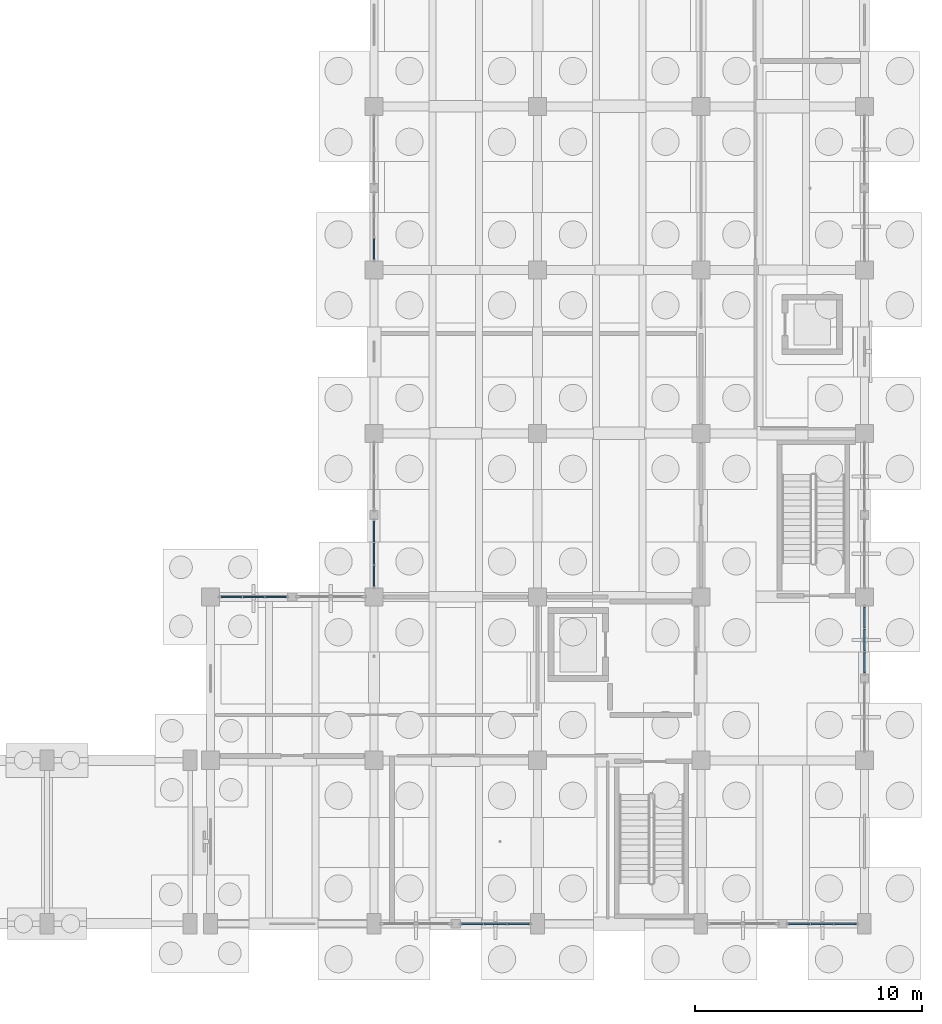
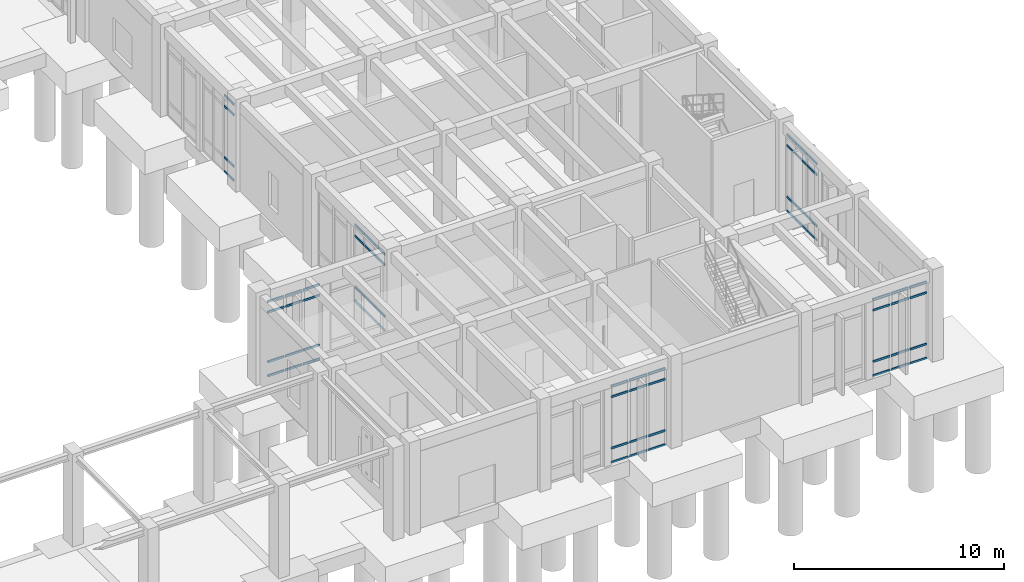
# One storey, part 45 of 93: 64 members, 6 elements without a shape of their own.
"""IFC4 building model written with IfcOpenShell, lengths in metres."""

from ifc_helpers import new_model, si_unit, direction, frame, origin, origin_2d, place, context, subcontext, project, spatial, rectangle, extrude, material, layer, layer_set, material_profile, profile_set, type_object, element, aggregate, save


model = new_model("IFC4")

# Units and contexts
model_context = context("Model", 3, precision=1e-05, world=origin(), true_north=direction((0.0, 1.0)))
body_context = subcontext(model_context, "Body", "Model", "MODEL_VIEW")
ifc_project = project(units=[si_unit("LENGTHUNIT", "METRE"), si_unit("AREAUNIT", "SQUARE_METRE"), si_unit("VOLUMEUNIT", "CUBIC_METRE"), si_unit("PLANEANGLEUNIT", "RADIAN"), si_unit("MASSUNIT", "GRAM", prefix="KILO")], contexts=[model_context])

# Site, building, storey
site_placement = place(None, origin())
site = spatial("IfcSite", under=ifc_project, at=site_placement, CompositionType="ELEMENT")
building_placement = place(site_placement, origin())
building = spatial("IfcBuilding", under=site, at=building_placement, Name="Koriwan Promenade Central Fire Station", CompositionType="ELEMENT")
storey_placement = place(building_placement, origin())
storey = spatial("IfcBuildingStorey", under=building, at=storey_placement, Name="L00", CompositionType="ELEMENT", Elevation=0.0)

# Curtain wall, members
ifc_material_1 = material(Name="Aluminium EN AW-6063-T6 and low-E glazing", Category="aluminium")
ifc_layer_1 = layer(ifc_material_1, 0.159912109375, Name="Aluminium EN AW-6063-T6 and low-E glazing")
ifc_layer_set_1 = layer_set([ifc_layer_1], Name="Aluminium EN AW-6063-T6 and low-E glazing")
curtain_wall_type_1 = type_object("IfcCurtainWallType", Name="CurtainWall_48_310x449", PredefinedType="USERDEFINED", material=ifc_layer_set_1)
curtain_wall_1_placement = place(storey_placement, origin())
curtain_wall_1 = element("IfcCurtainWall", 1, at=curtain_wall_1_placement, inside=storey, type_object=curtain_wall_type_1, Name="V5 L00 unitised curtain wall 129", ObjectType="UNITISED CURTAIN WALL", PredefinedType="USERDEFINED")
ifc_material_2 = material(Name="Aluminium EN AW-6063-T6", Category="aluminium")
ifc_material_profile = material_profile(ifc_material_2, rectangle(XDim=0.06494140625, YDim=0.1201171875, at=origin_2d()), Name="ALU-TRN-65x120")
ifc_profile_set = profile_set([ifc_material_profile], Name="Aluminium EN AW-6063-T6")
member_type = type_object("IfcMemberType", Name="CWTransom_ALU-TRN-65x120", PredefinedType="USERDEFINED", material=ifc_profile_set)
member_1_placement = place(storey_placement, frame((172.43505859375, 0.0, 0.032470703125), z_axis=(-1.0, 0.0, 0.0), x_axis=(0.0, -1.0, 0.0)))
member_1 = element("IfcMember", 2, at=member_1_placement, type_object=member_type, Name="CW-48 transom 1.1", ObjectType="TRANSOM", PredefinedType="USERDEFINED", context=body_context, shape_type="SweptSolid", body=[
    extrude(rectangle(XDim=0.06494140625, YDim=0.1201171875, at=origin_2d()), origin(), (0.0, 0.0, 1.0), 0.935791015625),
])
member_2_placement = place(storey_placement, frame((172.43505859375, 0.0, 0.85009765625), z_axis=(-1.0, 0.0, 0.0), x_axis=(0.0, -1.0, 0.0)))
member_2 = element("IfcMember", 3, at=member_2_placement, type_object=member_type, Name="CW-48 transom 1.2", ObjectType="TRANSOM", PredefinedType="USERDEFINED", context=body_context, shape_type="SweptSolid", body=[
    extrude(rectangle(XDim=0.06494140625, YDim=0.1201171875, at=origin_2d()), origin(), (0.0, 0.0, 1.0), 0.935791015625),
])
member_3_placement = place(storey_placement, frame((172.43505859375, 0.0, 3.840087890625), z_axis=(-1.0, 0.0, 0.0), x_axis=(0.0, -1.0, 0.0)))
member_3 = element("IfcMember", 4, at=member_3_placement, type_object=member_type, Name="CW-48 transom 1.3", ObjectType="TRANSOM", PredefinedType="USERDEFINED", context=body_context, shape_type="SweptSolid", body=[
    extrude(rectangle(XDim=0.06494140625, YDim=0.1201171875, at=origin_2d()), origin(), (0.0, 0.0, 1.0), 0.935791015625),
])
member_4_placement = place(storey_placement, frame((172.43505859375, 0.0, 4.45751953125), z_axis=(-1.0, 0.0, 0.0), x_axis=(0.0, -1.0, 0.0)))
member_4 = element("IfcMember", 5, at=member_4_placement, type_object=member_type, Name="CW-48 transom 1.4", ObjectType="TRANSOM", PredefinedType="USERDEFINED", context=body_context, shape_type="SweptSolid", body=[
    extrude(rectangle(XDim=0.06494140625, YDim=0.1201171875, at=origin_2d()), origin(), (0.0, 0.0, 1.0), 0.935791015625),
])
member_5_placement = place(storey_placement, frame((171.43408203125, 0.0, 0.032470703125), z_axis=(-1.0, 0.0, 0.0), x_axis=(0.0, -1.0, 0.0)))
member_5 = element("IfcMember", 6, at=member_5_placement, type_object=member_type, Name="CW-48 transom 2.1", ObjectType="TRANSOM", PredefinedType="USERDEFINED", context=body_context, shape_type="SweptSolid", body=[
    extrude(rectangle(XDim=0.06494140625, YDim=0.1201171875, at=origin_2d()), origin(), (0.0, 0.0, 1.0), 0.96826171875),
])
member_6_placement = place(storey_placement, frame((171.43408203125, 0.0, 0.85009765625), z_axis=(-1.0, 0.0, 0.0), x_axis=(0.0, -1.0, 0.0)))
member_6 = element("IfcMember", 7, at=member_6_placement, type_object=member_type, Name="CW-48 transom 2.2", ObjectType="TRANSOM", PredefinedType="USERDEFINED", context=body_context, shape_type="SweptSolid", body=[
    extrude(rectangle(XDim=0.06494140625, YDim=0.1201171875, at=origin_2d()), origin(), (0.0, 0.0, 1.0), 0.96826171875),
])
member_7_placement = place(storey_placement, frame((171.43408203125, 0.0, 3.840087890625), z_axis=(-1.0, 0.0, 0.0), x_axis=(0.0, -1.0, 0.0)))
member_7 = element("IfcMember", 8, at=member_7_placement, type_object=member_type, Name="CW-48 transom 2.3", ObjectType="TRANSOM", PredefinedType="USERDEFINED", context=body_context, shape_type="SweptSolid", body=[
    extrude(rectangle(XDim=0.06494140625, YDim=0.1201171875, at=origin_2d()), origin(), (0.0, 0.0, 1.0), 0.96826171875),
])
member_8_placement = place(storey_placement, frame((171.43408203125, 0.0, 4.45751953125), z_axis=(-1.0, 0.0, 0.0), x_axis=(0.0, -1.0, 0.0)))
member_8 = element("IfcMember", 9, at=member_8_placement, type_object=member_type, Name="CW-48 transom 2.4", ObjectType="TRANSOM", PredefinedType="USERDEFINED", context=body_context, shape_type="SweptSolid", body=[
    extrude(rectangle(XDim=0.06494140625, YDim=0.1201171875, at=origin_2d()), origin(), (0.0, 0.0, 1.0), 0.96826171875),
])
member_9_placement = place(storey_placement, frame((170.40087890625, 0.0, 0.032470703125), z_axis=(-1.0, 0.0, 0.0), x_axis=(0.0, -1.0, 0.0)))
member_9 = element("IfcMember", 10, at=member_9_placement, type_object=member_type, Name="CW-48 transom 3.1", ObjectType="TRANSOM", PredefinedType="USERDEFINED", context=body_context, shape_type="SweptSolid", body=[
    extrude(rectangle(XDim=0.06494140625, YDim=0.1201171875, at=origin_2d()), origin(), (0.0, 0.0, 1.0), 0.935791015625),
])
member_10_placement = place(storey_placement, frame((170.40087890625, 0.0, 0.85009765625), z_axis=(-1.0, 0.0, 0.0), x_axis=(0.0, -1.0, 0.0)))
member_10 = element("IfcMember", 11, at=member_10_placement, type_object=member_type, Name="CW-48 transom 3.2", ObjectType="TRANSOM", PredefinedType="USERDEFINED", context=body_context, shape_type="SweptSolid", body=[
    extrude(rectangle(XDim=0.06494140625, YDim=0.1201171875, at=origin_2d()), origin(), (0.0, 0.0, 1.0), 0.935791015625),
])
member_11_placement = place(storey_placement, frame((170.40087890625, 0.0, 3.840087890625), z_axis=(-1.0, 0.0, 0.0), x_axis=(0.0, -1.0, 0.0)))
member_11 = element("IfcMember", 12, at=member_11_placement, type_object=member_type, Name="CW-48 transom 3.3", ObjectType="TRANSOM", PredefinedType="USERDEFINED", context=body_context, shape_type="SweptSolid", body=[
    extrude(rectangle(XDim=0.06494140625, YDim=0.1201171875, at=origin_2d()), origin(), (0.0, 0.0, 1.0), 0.935791015625),
])
member_12_placement = place(storey_placement, frame((170.40087890625, 0.0, 4.45751953125), z_axis=(-1.0, 0.0, 0.0), x_axis=(0.0, -1.0, 0.0)))
member_12 = element("IfcMember", 13, at=member_12_placement, type_object=member_type, Name="CW-48 transom 3.4", ObjectType="TRANSOM", PredefinedType="USERDEFINED", context=body_context, shape_type="SweptSolid", body=[
    extrude(rectangle(XDim=0.06494140625, YDim=0.1201171875, at=origin_2d()), origin(), (0.0, 0.0, 1.0), 0.935791015625),
])
aggregate(curtain_wall_1, [member_1, member_2, member_3, member_4, member_5, member_6, member_7, member_8, member_9, member_10, member_11, member_12])

curtain_wall_2_placement = place(storey_placement, origin())
curtain_wall_2 = element("IfcCurtainWall", 14, at=curtain_wall_2_placement, inside=storey, type_object=curtain_wall_type_1, Name="V5 L00 unitised curtain wall 131", ObjectType="UNITISED CURTAIN WALL", PredefinedType="USERDEFINED")
member_13_placement = place(storey_placement, frame((158.034912109375, 0.0, 0.032470703125), z_axis=(-1.0, 0.0, 0.0), x_axis=(0.0, -1.0, 0.0)))
member_13 = element("IfcMember", 15, at=member_13_placement, type_object=member_type, Name="CW-48 transom 1.1", ObjectType="TRANSOM", PredefinedType="USERDEFINED", context=body_context, shape_type="SweptSolid", body=[
    extrude(rectangle(XDim=0.06494140625, YDim=0.1201171875, at=origin_2d()), origin(), (0.0, 0.0, 1.0), 0.935791015625),
])
member_14_placement = place(storey_placement, frame((158.034912109375, 0.0, 0.85009765625), z_axis=(-1.0, 0.0, 0.0), x_axis=(0.0, -1.0, 0.0)))
member_14 = element("IfcMember", 16, at=member_14_placement, type_object=member_type, Name="CW-48 transom 1.2", ObjectType="TRANSOM", PredefinedType="USERDEFINED", context=body_context, shape_type="SweptSolid", body=[
    extrude(rectangle(XDim=0.06494140625, YDim=0.1201171875, at=origin_2d()), origin(), (0.0, 0.0, 1.0), 0.935791015625),
])
member_15_placement = place(storey_placement, frame((158.034912109375, 0.0, 3.840087890625), z_axis=(-1.0, 0.0, 0.0), x_axis=(0.0, -1.0, 0.0)))
member_15 = element("IfcMember", 17, at=member_15_placement, type_object=member_type, Name="CW-48 transom 1.3", ObjectType="TRANSOM", PredefinedType="USERDEFINED", context=body_context, shape_type="SweptSolid", body=[
    extrude(rectangle(XDim=0.06494140625, YDim=0.1201171875, at=origin_2d()), origin(), (0.0, 0.0, 1.0), 0.935791015625),
])
member_16_placement = place(storey_placement, frame((158.034912109375, 0.0, 4.45751953125), z_axis=(-1.0, 0.0, 0.0), x_axis=(0.0, -1.0, 0.0)))
member_16 = element("IfcMember", 18, at=member_16_placement, type_object=member_type, Name="CW-48 transom 1.4", ObjectType="TRANSOM", PredefinedType="USERDEFINED", context=body_context, shape_type="SweptSolid", body=[
    extrude(rectangle(XDim=0.06494140625, YDim=0.1201171875, at=origin_2d()), origin(), (0.0, 0.0, 1.0), 0.935791015625),
])
member_17_placement = place(storey_placement, frame((157.0341796875, 0.0, 0.032470703125), z_axis=(-1.0, 0.0, 0.0), x_axis=(0.0, -1.0, 0.0)))
member_17 = element("IfcMember", 19, at=member_17_placement, type_object=member_type, Name="CW-48 transom 2.1", ObjectType="TRANSOM", PredefinedType="USERDEFINED", context=body_context, shape_type="SweptSolid", body=[
    extrude(rectangle(XDim=0.06494140625, YDim=0.1201171875, at=origin_2d()), origin(), (0.0, 0.0, 1.0), 0.96826171875),
])
member_18_placement = place(storey_placement, frame((157.0341796875, 0.0, 0.85009765625), z_axis=(-1.0, 0.0, 0.0), x_axis=(0.0, -1.0, 0.0)))
member_18 = element("IfcMember", 20, at=member_18_placement, type_object=member_type, Name="CW-48 transom 2.2", ObjectType="TRANSOM", PredefinedType="USERDEFINED", context=body_context, shape_type="SweptSolid", body=[
    extrude(rectangle(XDim=0.06494140625, YDim=0.1201171875, at=origin_2d()), origin(), (0.0, 0.0, 1.0), 0.96826171875),
])
member_19_placement = place(storey_placement, frame((157.0341796875, 0.0, 3.840087890625), z_axis=(-1.0, 0.0, 0.0), x_axis=(0.0, -1.0, 0.0)))
member_19 = element("IfcMember", 21, at=member_19_placement, type_object=member_type, Name="CW-48 transom 2.3", ObjectType="TRANSOM", PredefinedType="USERDEFINED", context=body_context, shape_type="SweptSolid", body=[
    extrude(rectangle(XDim=0.06494140625, YDim=0.1201171875, at=origin_2d()), origin(), (0.0, 0.0, 1.0), 0.96826171875),
])
member_20_placement = place(storey_placement, frame((157.0341796875, 0.0, 4.45751953125), z_axis=(-1.0, 0.0, 0.0), x_axis=(0.0, -1.0, 0.0)))
member_20 = element("IfcMember", 22, at=member_20_placement, type_object=member_type, Name="CW-48 transom 2.4", ObjectType="TRANSOM", PredefinedType="USERDEFINED", context=body_context, shape_type="SweptSolid", body=[
    extrude(rectangle(XDim=0.06494140625, YDim=0.1201171875, at=origin_2d()), origin(), (0.0, 0.0, 1.0), 0.96826171875),
])
member_21_placement = place(storey_placement, frame((156.000732421875, 0.0, 0.032470703125), z_axis=(-1.0, 0.0, 0.0), x_axis=(0.0, -1.0, 0.0)))
member_21 = element("IfcMember", 23, at=member_21_placement, type_object=member_type, Name="CW-48 transom 3.1", ObjectType="TRANSOM", PredefinedType="USERDEFINED", context=body_context, shape_type="SweptSolid", body=[
    extrude(rectangle(XDim=0.06494140625, YDim=0.1201171875, at=origin_2d()), origin(), (0.0, 0.0, 1.0), 0.935791015625),
])
member_22_placement = place(storey_placement, frame((156.000732421875, 0.0, 0.85009765625), z_axis=(-1.0, 0.0, 0.0), x_axis=(0.0, -1.0, 0.0)))
member_22 = element("IfcMember", 24, at=member_22_placement, type_object=member_type, Name="CW-48 transom 3.2", ObjectType="TRANSOM", PredefinedType="USERDEFINED", context=body_context, shape_type="SweptSolid", body=[
    extrude(rectangle(XDim=0.06494140625, YDim=0.1201171875, at=origin_2d()), origin(), (0.0, 0.0, 1.0), 0.935791015625),
])
member_23_placement = place(storey_placement, frame((156.000732421875, 0.0, 3.840087890625), z_axis=(-1.0, 0.0, 0.0), x_axis=(0.0, -1.0, 0.0)))
member_23 = element("IfcMember", 25, at=member_23_placement, type_object=member_type, Name="CW-48 transom 3.3", ObjectType="TRANSOM", PredefinedType="USERDEFINED", context=body_context, shape_type="SweptSolid", body=[
    extrude(rectangle(XDim=0.06494140625, YDim=0.1201171875, at=origin_2d()), origin(), (0.0, 0.0, 1.0), 0.935791015625),
])
member_24_placement = place(storey_placement, frame((156.000732421875, 0.0, 4.45751953125), z_axis=(-1.0, 0.0, 0.0), x_axis=(0.0, -1.0, 0.0)))
member_24 = element("IfcMember", 26, at=member_24_placement, type_object=member_type, Name="CW-48 transom 3.4", ObjectType="TRANSOM", PredefinedType="USERDEFINED", context=body_context, shape_type="SweptSolid", body=[
    extrude(rectangle(XDim=0.06494140625, YDim=0.1201171875, at=origin_2d()), origin(), (0.0, 0.0, 1.0), 0.935791015625),
])
aggregate(curtain_wall_2, [member_13, member_14, member_15, member_16, member_17, member_18, member_19, member_20, member_21, member_22, member_23, member_24])

ifc_layer_2 = layer(ifc_material_1, 0.159912109375, Name="Aluminium EN AW-6063-T6 and low-E glazing")
ifc_layer_set_2 = layer_set([ifc_layer_2], Name="Aluminium EN AW-6063-T6 and low-E glazing")
curtain_wall_type_2 = type_object("IfcCurtainWallType", Name="CurtainWall_49_300x439", PredefinedType="USERDEFINED", material=ifc_layer_set_2)
curtain_wall_3_placement = place(storey_placement, origin())
curtain_wall_3 = element("IfcCurtainWall", 27, at=curtain_wall_3_placement, inside=storey, type_object=curtain_wall_type_2, Name="V5 L00 unitised curtain wall 133", ObjectType="UNITISED CURTAIN WALL", PredefinedType="USERDEFINED")
member_25_placement = place(storey_placement, frame((144.465087890625, 14.39990234375, 0.032470703125), z_axis=(1.0, 0.0, 0.0), x_axis=(0.0, 1.0, 0.0)))
member_25 = element("IfcMember", 28, at=member_25_placement, type_object=member_type, Name="CW-49 transom 1.1", ObjectType="TRANSOM", PredefinedType="USERDEFINED", context=body_context, shape_type="SweptSolid", body=[
    extrude(rectangle(XDim=0.06494140625, YDim=0.1201171875, at=origin_2d()), origin(), (0.0, 0.0, 1.0), 0.90234375),
])
member_26_placement = place(storey_placement, frame((144.465087890625, 14.39990234375, 0.85009765625), z_axis=(1.0, 0.0, 0.0), x_axis=(0.0, 1.0, 0.0)))
member_26 = element("IfcMember", 29, at=member_26_placement, type_object=member_type, Name="CW-49 transom 1.2", ObjectType="TRANSOM", PredefinedType="USERDEFINED", context=body_context, shape_type="SweptSolid", body=[
    extrude(rectangle(XDim=0.06494140625, YDim=0.1201171875, at=origin_2d()), origin(), (0.0, 0.0, 1.0), 0.90234375),
])
member_27_placement = place(storey_placement, frame((144.465087890625, 14.39990234375, 3.739990234375), z_axis=(1.0, 0.0, 0.0), x_axis=(0.0, 1.0, 0.0)))
member_27 = element("IfcMember", 30, at=member_27_placement, type_object=member_type, Name="CW-49 transom 1.3", ObjectType="TRANSOM", PredefinedType="USERDEFINED", context=body_context, shape_type="SweptSolid", body=[
    extrude(rectangle(XDim=0.06494140625, YDim=0.1201171875, at=origin_2d()), origin(), (0.0, 0.0, 1.0), 0.90234375),
])
member_28_placement = place(storey_placement, frame((144.465087890625, 14.39990234375, 4.357421875), z_axis=(1.0, 0.0, 0.0), x_axis=(0.0, 1.0, 0.0)))
member_28 = element("IfcMember", 31, at=member_28_placement, type_object=member_type, Name="CW-49 transom 1.4", ObjectType="TRANSOM", PredefinedType="USERDEFINED", context=body_context, shape_type="SweptSolid", body=[
    extrude(rectangle(XDim=0.06494140625, YDim=0.1201171875, at=origin_2d()), origin(), (0.0, 0.0, 1.0), 0.90234375),
])
member_29_placement = place(storey_placement, frame((145.4326171875, 14.39990234375, 0.032470703125), z_axis=(1.0, 0.0, 0.0), x_axis=(0.0, 1.0, 0.0)))
member_29 = element("IfcMember", 32, at=member_29_placement, type_object=member_type, Name="CW-49 transom 2.1", ObjectType="TRANSOM", PredefinedType="USERDEFINED", context=body_context, shape_type="SweptSolid", body=[
    extrude(rectangle(XDim=0.06494140625, YDim=0.1201171875, at=origin_2d()), origin(), (0.0, 0.0, 1.0), 0.934814453125),
])
member_30_placement = place(storey_placement, frame((145.4326171875, 14.39990234375, 0.85009765625), z_axis=(1.0, 0.0, 0.0), x_axis=(0.0, 1.0, 0.0)))
member_30 = element("IfcMember", 33, at=member_30_placement, type_object=member_type, Name="CW-49 transom 2.2", ObjectType="TRANSOM", PredefinedType="USERDEFINED", context=body_context, shape_type="SweptSolid", body=[
    extrude(rectangle(XDim=0.06494140625, YDim=0.1201171875, at=origin_2d()), origin(), (0.0, 0.0, 1.0), 0.934814453125),
])
member_31_placement = place(storey_placement, frame((145.4326171875, 14.39990234375, 3.739990234375), z_axis=(1.0, 0.0, 0.0), x_axis=(0.0, 1.0, 0.0)))
member_31 = element("IfcMember", 34, at=member_31_placement, type_object=member_type, Name="CW-49 transom 2.3", ObjectType="TRANSOM", PredefinedType="USERDEFINED", context=body_context, shape_type="SweptSolid", body=[
    extrude(rectangle(XDim=0.06494140625, YDim=0.1201171875, at=origin_2d()), origin(), (0.0, 0.0, 1.0), 0.934814453125),
])
member_32_placement = place(storey_placement, frame((145.4326171875, 14.39990234375, 4.357421875), z_axis=(1.0, 0.0, 0.0), x_axis=(0.0, 1.0, 0.0)))
member_32 = element("IfcMember", 35, at=member_32_placement, type_object=member_type, Name="CW-49 transom 2.4", ObjectType="TRANSOM", PredefinedType="USERDEFINED", context=body_context, shape_type="SweptSolid", body=[
    extrude(rectangle(XDim=0.06494140625, YDim=0.1201171875, at=origin_2d()), origin(), (0.0, 0.0, 1.0), 0.934814453125),
])
member_33_placement = place(storey_placement, frame((146.4326171875, 14.39990234375, 0.032470703125), z_axis=(1.0, 0.0, 0.0), x_axis=(0.0, 1.0, 0.0)))
member_33 = element("IfcMember", 36, at=member_33_placement, type_object=member_type, Name="CW-49 transom 3.1", ObjectType="TRANSOM", PredefinedType="USERDEFINED", context=body_context, shape_type="SweptSolid", body=[
    extrude(rectangle(XDim=0.06494140625, YDim=0.1201171875, at=origin_2d()), origin(), (0.0, 0.0, 1.0), 0.90234375),
])
member_34_placement = place(storey_placement, frame((146.4326171875, 14.39990234375, 0.85009765625), z_axis=(1.0, 0.0, 0.0), x_axis=(0.0, 1.0, 0.0)))
member_34 = element("IfcMember", 37, at=member_34_placement, type_object=member_type, Name="CW-49 transom 3.2", ObjectType="TRANSOM", PredefinedType="USERDEFINED", context=body_context, shape_type="SweptSolid", body=[
    extrude(rectangle(XDim=0.06494140625, YDim=0.1201171875, at=origin_2d()), origin(), (0.0, 0.0, 1.0), 0.90234375),
])
member_35_placement = place(storey_placement, frame((146.4326171875, 14.39990234375, 3.739990234375), z_axis=(1.0, 0.0, 0.0), x_axis=(0.0, 1.0, 0.0)))
member_35 = element("IfcMember", 38, at=member_35_placement, type_object=member_type, Name="CW-49 transom 3.3", ObjectType="TRANSOM", PredefinedType="USERDEFINED", context=body_context, shape_type="SweptSolid", body=[
    extrude(rectangle(XDim=0.06494140625, YDim=0.1201171875, at=origin_2d()), origin(), (0.0, 0.0, 1.0), 0.90234375),
])
member_36_placement = place(storey_placement, frame((146.4326171875, 14.39990234375, 4.357421875), z_axis=(1.0, 0.0, 0.0), x_axis=(0.0, 1.0, 0.0)))
member_36 = element("IfcMember", 39, at=member_36_placement, type_object=member_type, Name="CW-49 transom 3.4", ObjectType="TRANSOM", PredefinedType="USERDEFINED", context=body_context, shape_type="SweptSolid", body=[
    extrude(rectangle(XDim=0.06494140625, YDim=0.1201171875, at=origin_2d()), origin(), (0.0, 0.0, 1.0), 0.90234375),
])
aggregate(curtain_wall_3, [member_25, member_26, member_27, member_28, member_29, member_30, member_31, member_32, member_33, member_34, member_35, member_36])

ifc_layer_3 = layer(ifc_material_1, 0.159912109375, Name="Aluminium EN AW-6063-T6 and low-E glazing")
ifc_layer_set_3 = layer_set([ifc_layer_3], Name="Aluminium EN AW-6063-T6 and low-E glazing")
curtain_wall_type_3 = type_object("IfcCurtainWallType", Name="CurtainWall_51_300x449", PredefinedType="USERDEFINED", material=ifc_layer_set_3)
curtain_wall_4_placement = place(storey_placement, origin())
curtain_wall_4 = element("IfcCurtainWall", 40, at=curtain_wall_4_placement, inside=storey, type_object=curtain_wall_type_3, Name="V5 L00 unitised curtain wall 135", ObjectType="UNITISED CURTAIN WALL", PredefinedType="USERDEFINED")
member_37_placement = place(storey_placement, frame((151.199951171875, 14.864990234375, 0.032470703125), z_axis=(0.0, 1.0, 0.0), x_axis=(-1.0, 0.0, 0.0)))
member_37 = element("IfcMember", 41, at=member_37_placement, type_object=member_type, Name="CW-51 transom 1.1", ObjectType="TRANSOM", PredefinedType="USERDEFINED", context=body_context, shape_type="SweptSolid", body=[
    extrude(rectangle(XDim=0.06494140625, YDim=0.1201171875, at=origin_2d()), origin(), (0.0, 0.0, 1.0), 0.902587890625),
])
member_38_placement = place(storey_placement, frame((151.199951171875, 14.864990234375, 0.85009765625), z_axis=(0.0, 1.0, 0.0), x_axis=(-1.0, 0.0, 0.0)))
member_38 = element("IfcMember", 42, at=member_38_placement, type_object=member_type, Name="CW-51 transom 1.2", ObjectType="TRANSOM", PredefinedType="USERDEFINED", context=body_context, shape_type="SweptSolid", body=[
    extrude(rectangle(XDim=0.06494140625, YDim=0.1201171875, at=origin_2d()), origin(), (0.0, 0.0, 1.0), 0.902587890625),
])
member_39_placement = place(storey_placement, frame((151.199951171875, 14.864990234375, 3.840087890625), z_axis=(0.0, 1.0, 0.0), x_axis=(-1.0, 0.0, 0.0)))
member_39 = element("IfcMember", 43, at=member_39_placement, type_object=member_type, Name="CW-51 transom 1.3", ObjectType="TRANSOM", PredefinedType="USERDEFINED", context=body_context, shape_type="SweptSolid", body=[
    extrude(rectangle(XDim=0.06494140625, YDim=0.1201171875, at=origin_2d()), origin(), (0.0, 0.0, 1.0), 0.902587890625),
])
member_40_placement = place(storey_placement, frame((151.199951171875, 14.864990234375, 4.45751953125), z_axis=(0.0, 1.0, 0.0), x_axis=(-1.0, 0.0, 0.0)))
member_40 = element("IfcMember", 44, at=member_40_placement, type_object=member_type, Name="CW-51 transom 1.4", ObjectType="TRANSOM", PredefinedType="USERDEFINED", context=body_context, shape_type="SweptSolid", body=[
    extrude(rectangle(XDim=0.06494140625, YDim=0.1201171875, at=origin_2d()), origin(), (0.0, 0.0, 1.0), 0.902587890625),
])
member_41_placement = place(storey_placement, frame((151.199951171875, 15.83251953125, 0.032470703125), z_axis=(0.0, 1.0, 0.0), x_axis=(-1.0, 0.0, 0.0)))
member_41 = element("IfcMember", 45, at=member_41_placement, type_object=member_type, Name="CW-51 transom 2.1", ObjectType="TRANSOM", PredefinedType="USERDEFINED", context=body_context, shape_type="SweptSolid", body=[
    extrude(rectangle(XDim=0.06494140625, YDim=0.1201171875, at=origin_2d()), origin(), (0.0, 0.0, 1.0), 0.93505859375),
])
member_42_placement = place(storey_placement, frame((151.199951171875, 15.83251953125, 0.85009765625), z_axis=(0.0, 1.0, 0.0), x_axis=(-1.0, 0.0, 0.0)))
member_42 = element("IfcMember", 46, at=member_42_placement, type_object=member_type, Name="CW-51 transom 2.2", ObjectType="TRANSOM", PredefinedType="USERDEFINED", context=body_context, shape_type="SweptSolid", body=[
    extrude(rectangle(XDim=0.06494140625, YDim=0.1201171875, at=origin_2d()), origin(), (0.0, 0.0, 1.0), 0.93505859375),
])
member_43_placement = place(storey_placement, frame((151.199951171875, 15.83251953125, 3.840087890625), z_axis=(0.0, 1.0, 0.0), x_axis=(-1.0, 0.0, 0.0)))
member_43 = element("IfcMember", 47, at=member_43_placement, type_object=member_type, Name="CW-51 transom 2.3", ObjectType="TRANSOM", PredefinedType="USERDEFINED", context=body_context, shape_type="SweptSolid", body=[
    extrude(rectangle(XDim=0.06494140625, YDim=0.1201171875, at=origin_2d()), origin(), (0.0, 0.0, 1.0), 0.93505859375),
])
member_44_placement = place(storey_placement, frame((151.199951171875, 15.83251953125, 4.45751953125), z_axis=(0.0, 1.0, 0.0), x_axis=(-1.0, 0.0, 0.0)))
member_44 = element("IfcMember", 48, at=member_44_placement, type_object=member_type, Name="CW-51 transom 2.4", ObjectType="TRANSOM", PredefinedType="USERDEFINED", context=body_context, shape_type="SweptSolid", body=[
    extrude(rectangle(XDim=0.06494140625, YDim=0.1201171875, at=origin_2d()), origin(), (0.0, 0.0, 1.0), 0.93505859375),
])
member_45_placement = place(storey_placement, frame((151.199951171875, 16.83251953125, 0.032470703125), z_axis=(0.0, 1.0, 0.0), x_axis=(-1.0, 0.0, 0.0)))
member_45 = element("IfcMember", 49, at=member_45_placement, type_object=member_type, Name="CW-51 transom 3.1", ObjectType="TRANSOM", PredefinedType="USERDEFINED", context=body_context, shape_type="SweptSolid", body=[
    extrude(rectangle(XDim=0.06494140625, YDim=0.1201171875, at=origin_2d()), origin(), (0.0, 0.0, 1.0), 0.902587890625),
])
member_46_placement = place(storey_placement, frame((151.199951171875, 16.83251953125, 0.85009765625), z_axis=(0.0, 1.0, 0.0), x_axis=(-1.0, 0.0, 0.0)))
member_46 = element("IfcMember", 50, at=member_46_placement, type_object=member_type, Name="CW-51 transom 3.2", ObjectType="TRANSOM", PredefinedType="USERDEFINED", context=body_context, shape_type="SweptSolid", body=[
    extrude(rectangle(XDim=0.06494140625, YDim=0.1201171875, at=origin_2d()), origin(), (0.0, 0.0, 1.0), 0.902587890625),
])
member_47_placement = place(storey_placement, frame((151.199951171875, 16.83251953125, 3.840087890625), z_axis=(0.0, 1.0, 0.0), x_axis=(-1.0, 0.0, 0.0)))
member_47 = element("IfcMember", 51, at=member_47_placement, type_object=member_type, Name="CW-51 transom 3.3", ObjectType="TRANSOM", PredefinedType="USERDEFINED", context=body_context, shape_type="SweptSolid", body=[
    extrude(rectangle(XDim=0.06494140625, YDim=0.1201171875, at=origin_2d()), origin(), (0.0, 0.0, 1.0), 0.902587890625),
])
member_48_placement = place(storey_placement, frame((151.199951171875, 16.83251953125, 4.45751953125), z_axis=(0.0, 1.0, 0.0), x_axis=(-1.0, 0.0, 0.0)))
member_48 = element("IfcMember", 52, at=member_48_placement, type_object=member_type, Name="CW-51 transom 3.4", ObjectType="TRANSOM", PredefinedType="USERDEFINED", context=body_context, shape_type="SweptSolid", body=[
    extrude(rectangle(XDim=0.06494140625, YDim=0.1201171875, at=origin_2d()), origin(), (0.0, 0.0, 1.0), 0.902587890625),
])
aggregate(curtain_wall_4, [member_37, member_38, member_39, member_40, member_41, member_42, member_43, member_44, member_45, member_46, member_47, member_48])

curtain_wall_5_placement = place(storey_placement, origin())
curtain_wall_5 = element("IfcCurtainWall", 53, at=curtain_wall_5_placement, inside=storey, type_object=curtain_wall_type_3, Name="V5 L00 unitised curtain wall 137", ObjectType="UNITISED CURTAIN WALL", PredefinedType="USERDEFINED")
member_49_placement = place(storey_placement, frame((151.199951171875, 29.264892578125, 0.032470703125), z_axis=(0.0, 1.0, 0.0), x_axis=(-1.0, 0.0, 0.0)))
member_49 = element("IfcMember", 54, at=member_49_placement, type_object=member_type, Name="CW-51 transom 1.1", ObjectType="TRANSOM", PredefinedType="USERDEFINED", context=body_context, shape_type="SweptSolid", body=[
    extrude(rectangle(XDim=0.06494140625, YDim=0.1201171875, at=origin_2d()), origin(), (0.0, 0.0, 1.0), 0.902587890625),
])
member_50_placement = place(storey_placement, frame((151.199951171875, 29.264892578125, 0.85009765625), z_axis=(0.0, 1.0, 0.0), x_axis=(-1.0, 0.0, 0.0)))
member_50 = element("IfcMember", 55, at=member_50_placement, type_object=member_type, Name="CW-51 transom 1.2", ObjectType="TRANSOM", PredefinedType="USERDEFINED", context=body_context, shape_type="SweptSolid", body=[
    extrude(rectangle(XDim=0.06494140625, YDim=0.1201171875, at=origin_2d()), origin(), (0.0, 0.0, 1.0), 0.902587890625),
])
member_51_placement = place(storey_placement, frame((151.199951171875, 29.264892578125, 3.840087890625), z_axis=(0.0, 1.0, 0.0), x_axis=(-1.0, 0.0, 0.0)))
member_51 = element("IfcMember", 56, at=member_51_placement, type_object=member_type, Name="CW-51 transom 1.3", ObjectType="TRANSOM", PredefinedType="USERDEFINED", context=body_context, shape_type="SweptSolid", body=[
    extrude(rectangle(XDim=0.06494140625, YDim=0.1201171875, at=origin_2d()), origin(), (0.0, 0.0, 1.0), 0.902587890625),
])
member_52_placement = place(storey_placement, frame((151.199951171875, 29.264892578125, 4.45751953125), z_axis=(0.0, 1.0, 0.0), x_axis=(-1.0, 0.0, 0.0)))
member_52 = element("IfcMember", 57, at=member_52_placement, type_object=member_type, Name="CW-51 transom 1.4", ObjectType="TRANSOM", PredefinedType="USERDEFINED", context=body_context, shape_type="SweptSolid", body=[
    extrude(rectangle(XDim=0.06494140625, YDim=0.1201171875, at=origin_2d()), origin(), (0.0, 0.0, 1.0), 0.902587890625),
])
aggregate(curtain_wall_5, [member_49, member_50, member_51, member_52])

curtain_wall_6_placement = place(storey_placement, origin())
curtain_wall_6 = element("IfcCurtainWall", 58, at=curtain_wall_6_placement, inside=storey, type_object=curtain_wall_type_3, Name="V5 L00 unitised curtain wall 159", ObjectType="UNITISED CURTAIN WALL", PredefinedType="USERDEFINED")
member_53_placement = place(storey_placement, frame((172.800048828125, 13.93505859375, 0.032470703125), z_axis=(0.0, -1.0, 0.0), x_axis=(1.0, 0.0, 0.0)))
member_53 = element("IfcMember", 59, at=member_53_placement, type_object=member_type, Name="CW-51 transom 1.1", ObjectType="TRANSOM", PredefinedType="USERDEFINED", context=body_context, shape_type="SweptSolid", body=[
    extrude(rectangle(XDim=0.06494140625, YDim=0.1201171875, at=origin_2d()), origin(), (0.0, 0.0, 1.0), 0.902587890625),
])
member_54_placement = place(storey_placement, frame((172.800048828125, 13.93505859375, 0.85009765625), z_axis=(0.0, -1.0, 0.0), x_axis=(1.0, 0.0, 0.0)))
member_54 = element("IfcMember", 60, at=member_54_placement, type_object=member_type, Name="CW-51 transom 1.2", ObjectType="TRANSOM", PredefinedType="USERDEFINED", context=body_context, shape_type="SweptSolid", body=[
    extrude(rectangle(XDim=0.06494140625, YDim=0.1201171875, at=origin_2d()), origin(), (0.0, 0.0, 1.0), 0.902587890625),
])
member_55_placement = place(storey_placement, frame((172.800048828125, 13.93505859375, 3.840087890625), z_axis=(0.0, -1.0, 0.0), x_axis=(1.0, 0.0, 0.0)))
member_55 = element("IfcMember", 61, at=member_55_placement, type_object=member_type, Name="CW-51 transom 1.3", ObjectType="TRANSOM", PredefinedType="USERDEFINED", context=body_context, shape_type="SweptSolid", body=[
    extrude(rectangle(XDim=0.06494140625, YDim=0.1201171875, at=origin_2d()), origin(), (0.0, 0.0, 1.0), 0.902587890625),
])
member_56_placement = place(storey_placement, frame((172.800048828125, 13.93505859375, 4.45751953125), z_axis=(0.0, -1.0, 0.0), x_axis=(1.0, 0.0, 0.0)))
member_56 = element("IfcMember", 62, at=member_56_placement, type_object=member_type, Name="CW-51 transom 1.4", ObjectType="TRANSOM", PredefinedType="USERDEFINED", context=body_context, shape_type="SweptSolid", body=[
    extrude(rectangle(XDim=0.06494140625, YDim=0.1201171875, at=origin_2d()), origin(), (0.0, 0.0, 1.0), 0.902587890625),
])
member_57_placement = place(storey_placement, frame((172.800048828125, 12.967529296875, 0.032470703125), z_axis=(0.0, -1.0, 0.0), x_axis=(1.0, 0.0, 0.0)))
member_57 = element("IfcMember", 63, at=member_57_placement, type_object=member_type, Name="CW-51 transom 2.1", ObjectType="TRANSOM", PredefinedType="USERDEFINED", context=body_context, shape_type="SweptSolid", body=[
    extrude(rectangle(XDim=0.06494140625, YDim=0.1201171875, at=origin_2d()), origin(), (0.0, 0.0, 1.0), 0.93505859375),
])
member_58_placement = place(storey_placement, frame((172.800048828125, 12.967529296875, 0.85009765625), z_axis=(0.0, -1.0, 0.0), x_axis=(1.0, 0.0, 0.0)))
member_58 = element("IfcMember", 64, at=member_58_placement, type_object=member_type, Name="CW-51 transom 2.2", ObjectType="TRANSOM", PredefinedType="USERDEFINED", context=body_context, shape_type="SweptSolid", body=[
    extrude(rectangle(XDim=0.06494140625, YDim=0.1201171875, at=origin_2d()), origin(), (0.0, 0.0, 1.0), 0.93505859375),
])
member_59_placement = place(storey_placement, frame((172.800048828125, 12.967529296875, 3.840087890625), z_axis=(0.0, -1.0, 0.0), x_axis=(1.0, 0.0, 0.0)))
member_59 = element("IfcMember", 65, at=member_59_placement, type_object=member_type, Name="CW-51 transom 2.3", ObjectType="TRANSOM", PredefinedType="USERDEFINED", context=body_context, shape_type="SweptSolid", body=[
    extrude(rectangle(XDim=0.06494140625, YDim=0.1201171875, at=origin_2d()), origin(), (0.0, 0.0, 1.0), 0.93505859375),
])
member_60_placement = place(storey_placement, frame((172.800048828125, 12.967529296875, 4.45751953125), z_axis=(0.0, -1.0, 0.0), x_axis=(1.0, 0.0, 0.0)))
member_60 = element("IfcMember", 66, at=member_60_placement, type_object=member_type, Name="CW-51 transom 2.4", ObjectType="TRANSOM", PredefinedType="USERDEFINED", context=body_context, shape_type="SweptSolid", body=[
    extrude(rectangle(XDim=0.06494140625, YDim=0.1201171875, at=origin_2d()), origin(), (0.0, 0.0, 1.0), 0.93505859375),
])
member_61_placement = place(storey_placement, frame((172.800048828125, 11.967529296875, 0.032470703125), z_axis=(0.0, -1.0, 0.0), x_axis=(1.0, 0.0, 0.0)))
member_61 = element("IfcMember", 67, at=member_61_placement, type_object=member_type, Name="CW-51 transom 3.1", ObjectType="TRANSOM", PredefinedType="USERDEFINED", context=body_context, shape_type="SweptSolid", body=[
    extrude(rectangle(XDim=0.06494140625, YDim=0.1201171875, at=origin_2d()), origin(), (0.0, 0.0, 1.0), 0.902587890625),
])
member_62_placement = place(storey_placement, frame((172.800048828125, 11.967529296875, 0.85009765625), z_axis=(0.0, -1.0, 0.0), x_axis=(1.0, 0.0, 0.0)))
member_62 = element("IfcMember", 68, at=member_62_placement, type_object=member_type, Name="CW-51 transom 3.2", ObjectType="TRANSOM", PredefinedType="USERDEFINED", context=body_context, shape_type="SweptSolid", body=[
    extrude(rectangle(XDim=0.06494140625, YDim=0.1201171875, at=origin_2d()), origin(), (0.0, 0.0, 1.0), 0.902587890625),
])
member_63_placement = place(storey_placement, frame((172.800048828125, 11.967529296875, 3.840087890625), z_axis=(0.0, -1.0, 0.0), x_axis=(1.0, 0.0, 0.0)))
member_63 = element("IfcMember", 69, at=member_63_placement, type_object=member_type, Name="CW-51 transom 3.3", ObjectType="TRANSOM", PredefinedType="USERDEFINED", context=body_context, shape_type="SweptSolid", body=[
    extrude(rectangle(XDim=0.06494140625, YDim=0.1201171875, at=origin_2d()), origin(), (0.0, 0.0, 1.0), 0.902587890625),
])
member_64_placement = place(storey_placement, frame((172.800048828125, 11.967529296875, 4.45751953125), z_axis=(0.0, -1.0, 0.0), x_axis=(1.0, 0.0, 0.0)))
member_64 = element("IfcMember", 70, at=member_64_placement, type_object=member_type, Name="CW-51 transom 3.4", ObjectType="TRANSOM", PredefinedType="USERDEFINED", context=body_context, shape_type="SweptSolid", body=[
    extrude(rectangle(XDim=0.06494140625, YDim=0.1201171875, at=origin_2d()), origin(), (0.0, 0.0, 1.0), 0.902587890625),
])
aggregate(curtain_wall_6, [member_53, member_54, member_55, member_56, member_57, member_58, member_59, member_60, member_61, member_62, member_63, member_64])

save(model, "model.ifc")
